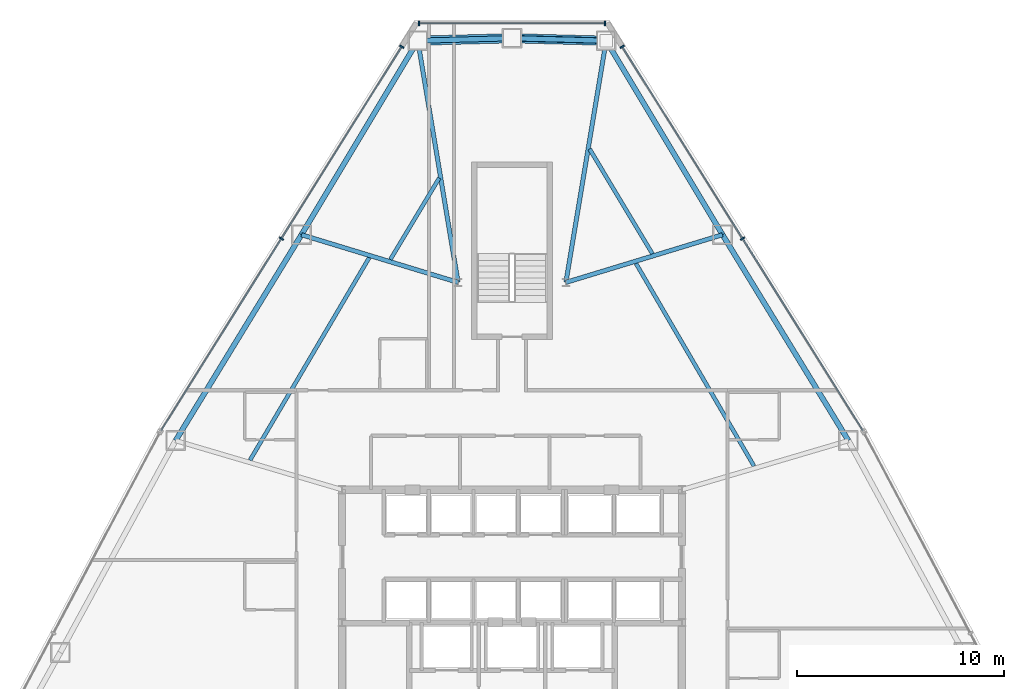
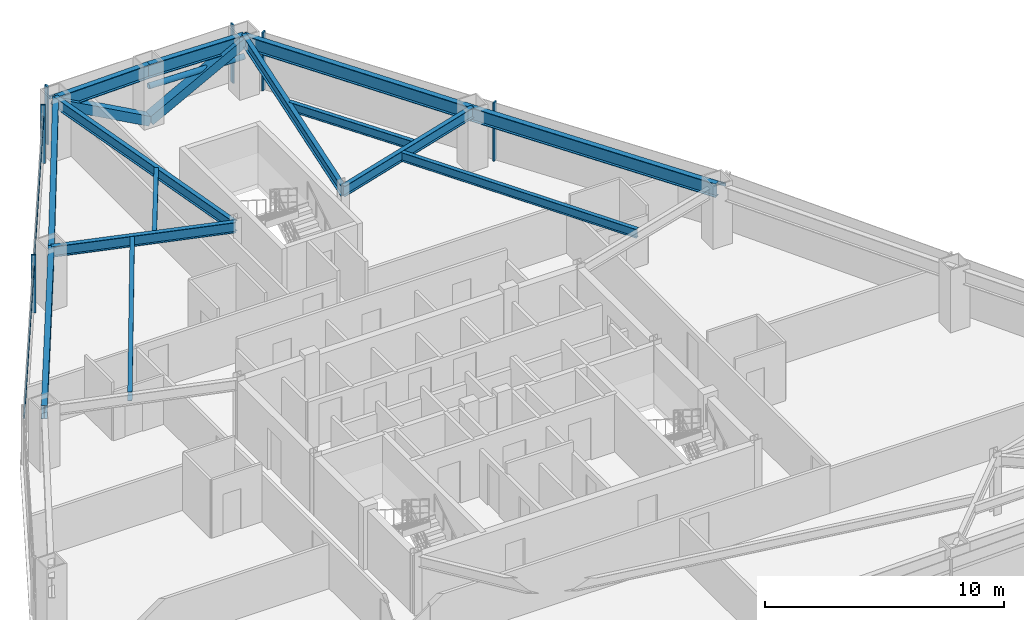
# One storey, part 7 of 13: 14 beams, 12 members, 3 elements without a shape of their own.
"""IFC4 building model written with IfcOpenShell, lengths in metres."""

from ifc_helpers import new_model, si_unit, direction, frame, origin, origin_2d, place, context, subcontext, project, spatial, rectangle, hollow_rectangle, hollow_circle, i_section, extrude, source, transform, mapped, material, layer, layer_set, material_profile, profile_set, type_object, type_shapes, element, aggregate, save


model = new_model("IFC4")

# Units and contexts
model_context = context("Model", 3, precision=1e-05, world=origin(), true_north=direction((0.0, 1.0)))
body_context = subcontext(model_context, "Body", "Model", "MODEL_VIEW")
ifc_project = project(units=[si_unit("LENGTHUNIT", "METRE"), si_unit("AREAUNIT", "SQUARE_METRE"), si_unit("VOLUMEUNIT", "CUBIC_METRE"), si_unit("PLANEANGLEUNIT", "RADIAN"), si_unit("MASSUNIT", "GRAM", prefix="KILO")], contexts=[model_context])

# Site, building, storey
site_placement = place(None, origin())
site = spatial("IfcSite", under=ifc_project, at=site_placement, CompositionType="ELEMENT")
building_placement = place(site_placement, origin())
building = spatial("IfcBuilding", under=site, at=building_placement, Name="Varakhsha Concourse Tower", CompositionType="ELEMENT")
storey_placement = place(building_placement, frame((0.0, 0.0, 95.800048828125)))
storey = spatial("IfcBuildingStorey", under=building, at=storey_placement, Name="L27", CompositionType="ELEMENT", Elevation=95.800048828125)

# Beams
ifc_material_1 = material(Name="Structural Steel ASTM A992 Grade 50", Category="steel")
ifc_material_profile_1 = material_profile(ifc_material_1, i_section(OverallWidth=0.19091796875, OverallDepth=0.45703125, WebThickness=0.009033203125, FlangeThickness=0.013916015625, at=origin_2d()), Name="W18X50")
ifc_profile_set_1 = profile_set([ifc_material_profile_1], Name="Structural Steel ASTM A992 Grade 50")
beam_type_1 = type_object("IfcBeamType", Name="BM-JST-W18X50", PredefinedType="JOIST", material=ifc_profile_set_1)
beam_1_placement = place(storey_placement, frame((36.489013671875, 46.236083984375, 2.741455078125), z_axis=(-0.514409574998, -0.857544628081, 0.0), x_axis=(0.857544628081, -0.514409574998, 0.0)))
element("IfcBeam", 1, at=beam_1_placement, inside=storey, type_object=beam_type_1, Name="BM-TJST-L27-03", PredefinedType="JOIST", context=body_context, shape_type="SweptSolid", body=[
    extrude(i_section(OverallWidth=0.19091796875, OverallDepth=0.45703125, WebThickness=0.009033203125, FlangeThickness=0.013916015625, at=origin_2d()), origin(), (0.0, 0.0, 1.0), 4.582763671875),
])
beam_2_placement = place(storey_placement, frame((33.112548828125, 42.39306640625, 2.741455078125), z_axis=(-0.507315554259, -0.861760365999, 0.0), x_axis=(0.861760365999, -0.507315554259, 0.0)))
element("IfcBeam", 2, at=beam_2_placement, inside=storey, type_object=beam_type_1, Name="BM-TJST-L27-04", PredefinedType="JOIST", context=body_context, shape_type="SweptSolid", body=[
    extrude(i_section(OverallWidth=0.19091796875, OverallDepth=0.45703125, WebThickness=0.009033203125, FlangeThickness=0.013916015625, at=origin_2d()), origin(), (0.0, 0.0, 1.0), 11.3388671875),
])
beam_3_placement = place(storey_placement, frame((51.677001953125, 32.33740234375, 2.741455078125), z_axis=(-0.503346513483, 0.864084652893, 0.0), x_axis=(-0.864084652893, -0.503346513483, 0.0)))
element("IfcBeam", 3, at=beam_3_placement, inside=storey, type_object=beam_type_1, Name="BM-TJST-L27-17", PredefinedType="JOIST", context=body_context, shape_type="SweptSolid", body=[
    extrude(i_section(OverallWidth=0.19091796875, OverallDepth=0.45703125, WebThickness=0.009033203125, FlangeThickness=0.013916015625, at=origin_2d()), origin(), (0.0, 0.0, 1.0), 11.31787109375),
])
beam_4_placement = place(storey_placement, frame((46.775146484375, 42.582275390625, 2.741455078125), z_axis=(-0.514428730328, 0.85753313721, 0.0), x_axis=(-0.85753313721, -0.514428730328, 0.0)))
element("IfcBeam", 4, at=beam_4_placement, inside=storey, type_object=beam_type_1, Name="BM-TJST-L27-18", PredefinedType="JOIST", context=body_context, shape_type="SweptSolid", body=[
    extrude(i_section(OverallWidth=0.19091796875, OverallDepth=0.45703125, WebThickness=0.009033203125, FlangeThickness=0.013916015625, at=origin_2d()), origin(), (0.0, 0.0, 1.0), 5.892578125),
])
ifc_material_profile_2 = material_profile(ifc_material_1, i_section(OverallWidth=0.2109375, OverallDepth=0.5390625, WebThickness=0.011962890625, FlangeThickness=0.01904296875, at=origin_2d()), Name="W21X73")
ifc_profile_set_2 = profile_set([ifc_material_profile_2], Name="Structural Steel ASTM A992 Grade 50")
beam_type_2 = type_object("IfcBeamType", Name="BM-RAD-W21X73", PredefinedType="BEAM", material=ifc_profile_set_2)
for number, where, z_axis, x_axis, name in (
    (5, (42.60009765625, 41.199951171875, 2.700439453125), (0.164241567319, 0.986420147586, 0.0), (-0.986420147586, 0.164241567319, 0.0), "L27 Radial Floor Girder 01"),
    (6, (37.39990234375, 41.199951171875, 2.700439453125), (-0.164241567319, 0.986420147586, 0.0), (-0.986420147586, -0.164241567319, 0.0), "L27 Radial Floor Girder 03"),
):
    element("IfcBeam", number, at=place(storey_placement, frame(where, z_axis=z_axis, x_axis=x_axis)), inside=storey, type_object=beam_type_2, Name=name, PredefinedType="BEAM", context=body_context, shape_type="SweptSolid", body=[
        extrude(i_section(OverallWidth=0.2109375, OverallDepth=0.5390625, WebThickness=0.011962890625, FlangeThickness=0.01904296875, at=origin_2d()), origin(), (0.0, 0.0, 1.0), 11.8203125),
    ])
for number, where, z_axis, x_axis, name in (
    (7, (37.39990234375, 41.199951171875, 2.700439453125), (-0.956672757421, 0.291165305641, 0.0), (-0.291165305641, -0.956672757421, 0.0), "L27 Radial Floor Girder 04"),
    (8, (42.60009765625, 41.199951171875, 2.700439453125), (0.956672757421, 0.291165305641, 0.0), (-0.291165305641, 0.956672757421, 0.0), "L27 Radial Floor Girder 18"),
):
    element("IfcBeam", number, at=place(storey_placement, frame(where, z_axis=z_axis, x_axis=x_axis)), inside=storey, type_object=beam_type_2, Name=name, PredefinedType="BEAM", context=body_context, shape_type="SweptSolid", body=[
        extrude(i_section(OverallWidth=0.2109375, OverallDepth=0.5390625, WebThickness=0.011962890625, FlangeThickness=0.01904296875, at=origin_2d()), origin(), (0.0, 0.0, 1.0), 7.898681640625),
    ])
ifc_material_profile_3 = material_profile(ifc_material_1, i_section(OverallWidth=0.25390625, OverallDepth=0.701904296875, WebThickness=0.014892578125, FlangeThickness=0.028076171875, at=origin_2d()), Name="W27X129")
ifc_profile_set_3 = profile_set([ifc_material_profile_3], Name="Structural Steel ASTM A992 Grade 50")
beam_type_3 = type_object("IfcBeamType", Name="BM-SPAN-W27X129", PredefinedType="SPANDREL", material=ifc_profile_set_3)
for number, where, z_axis, x_axis, name in (
    (9, (44.54150390625, 52.85986328125, 2.618896484375), (-0.999653249616, 0.026332119789, 0.0), (-0.026332119789, -0.999653249616, 0.0), "BM-SPAN-L27-01"),
    (10, (40.0, 52.9794921875, 2.618896484375), (-0.999653249616, -0.026332119789, 0.0), (0.026332119789, -0.999653249616, 0.0), "BM-SPAN-L27-02"),
):
    element("IfcBeam", number, at=place(storey_placement, frame(where, z_axis=z_axis, x_axis=x_axis)), inside=storey, type_object=beam_type_3, Name=name, PredefinedType="SPANDREL", context=body_context, shape_type="SweptSolid", body=[
        extrude(i_section(OverallWidth=0.25390625, OverallDepth=0.701904296875, WebThickness=0.014892578125, FlangeThickness=0.028076171875, at=origin_2d()), origin(), (0.0, 0.0, 1.0), 4.54296875),
    ])
beam_5_placement = place(storey_placement, frame((35.45849609375, 52.85986328125, 2.618896484375), z_axis=(-0.514423389103, -0.857536341355, 0.0), x_axis=(0.857536341355, -0.514423389103, 0.0)))
element("IfcBeam", 11, at=beam_5_placement, inside=storey, type_object=beam_type_3, Name="BM-SPAN-L27-03", PredefinedType="SPANDREL", context=body_context, shape_type="SweptSolid", body=[
    extrude(i_section(OverallWidth=0.25390625, OverallDepth=0.701904296875, WebThickness=0.014892578125, FlangeThickness=0.028076171875, at=origin_2d()), origin(), (0.0, 0.0, 1.0), 10.9150390625),
])
for number, where, z_axis, x_axis, name in (
    (12, (29.843505859375, 43.499755859375, 2.618896484375), (-0.521624773632, -0.853175008737, 0.0), (0.853175008737, -0.521624773632, 0.0), "BM-SPAN-L27-04"),
    (13, (56.22802734375, 33.569091796875, 2.618896484375), (-0.521624773632, 0.853175008737, 0.0), (-0.853175008737, -0.521624773632, 0.0), "BM-SPAN-L27-17"),
):
    element("IfcBeam", number, at=place(storey_placement, frame(where, z_axis=z_axis, x_axis=x_axis)), inside=storey, type_object=beam_type_3, Name=name, PredefinedType="SPANDREL", context=body_context, shape_type="SweptSolid", body=[
        extrude(i_section(OverallWidth=0.25390625, OverallDepth=0.701904296875, WebThickness=0.014892578125, FlangeThickness=0.028076171875, at=origin_2d()), origin(), (0.0, 0.0, 1.0), 11.6396484375),
    ])
beam_6_placement = place(storey_placement, frame((50.156494140625, 43.499755859375, 2.618896484375), z_axis=(-0.514423389103, 0.857536341355, 0.0), x_axis=(-0.857536341355, -0.514423389103, 0.0)))
element("IfcBeam", 14, at=beam_6_placement, inside=storey, type_object=beam_type_3, Name="BM-SPAN-L27-18", PredefinedType="SPANDREL", context=body_context, shape_type="SweptSolid", body=[
    extrude(i_section(OverallWidth=0.25390625, OverallDepth=0.701904296875, WebThickness=0.014892578125, FlangeThickness=0.028076171875, at=origin_2d()), origin(), (0.0, 0.0, 1.0), 10.9150390625),
])

# Members
ifc_material_2 = material(Name="Structural Steel ASTM A500 Grade C", Category="steel")
ifc_material_profile_4 = material_profile(ifc_material_2, hollow_rectangle(XDim=0.449951171875, YDim=0.449951171875, WallThickness=0.01904296875, at=origin_2d()), Name="HSS 450x450x19")
ifc_profile_set_4 = profile_set([ifc_material_profile_4], Name="Structural Steel ASTM A500 Grade C")
member_type_1 = type_object("IfcMemberType", Name="MB-TUBE-HSS450", PredefinedType="BRACE", material=ifc_profile_set_4)
shared_shape_1 = source(origin(), body_context, "Body", "SweptSolid", [
    extrude(hollow_rectangle(XDim=0.449951171875, YDim=0.449951171875, WallThickness=0.01904296875, at=origin_2d()), origin(), (0.0, 0.0, 1.0), 5.209716796875),
])
type_shapes(member_type_1, [shared_shape_1])
for number, where, z_axis, x_axis, name in (
    (15, (40.0, 52.9794921875, 0.119873046875), (0.87171842643, -0.022962156163, 0.489468818625), (0.026332119789, 0.999653249616, 0.0), "L27 Wind-Corner Tube Brace B01"),
    (16, (40.0, 52.9794921875, 0.119873046875), (-0.87171842643, -0.022962156163, 0.489468818625), (0.026332119789, -0.999653249616, 0.0), "L27 Wind-Corner Tube Brace B02"),
):
    element("IfcMember", number, at=place(storey_placement, frame(where, z_axis=z_axis, x_axis=x_axis)), inside=storey, type_object=member_type_1, Name=name, PredefinedType="BRACE", context=body_context, shape_type="MappedRepresentation", body=[
        mapped(shared_shape_1, transform((0.0, 0.0, 0.0), scale=1.0)),
    ])
ifc_material_profile_5 = material_profile(ifc_material_2, hollow_circle(Radius=0.136474609375, WallThickness=0.011962890625, at=origin_2d()), Name="CHS 273x12")
ifc_profile_set_5 = profile_set([ifc_material_profile_5], Name="Structural Steel ASTM A500 Grade C")
member_type_2 = type_object("IfcMemberType", Name="MB-WIND-CHS273", PredefinedType="COLLAR", material=ifc_profile_set_5)
shared_shape_2 = source(origin(), body_context, "Body", "SweptSolid", [
    extrude(hollow_circle(Radius=0.136474609375, WallThickness=0.011962890625, at=origin_2d()), origin(), (0.0, 0.0, 1.0), 4.54296875),
])
type_shapes(member_type_2, [shared_shape_2])
member_1_placement = place(storey_placement, frame((44.54150390625, 52.85986328125, 1.800048828125), z_axis=(-0.999653249616, 0.026332119789, 0.0), x_axis=(-0.026332119789, -0.999653249616, 0.0)))
element("IfcMember", 17, at=member_1_placement, inside=storey, type_object=member_type_2, Name="L27 Wind-Corner Collar Tie 1", PredefinedType="COLLAR", context=body_context, shape_type="MappedRepresentation", body=[
    mapped(shared_shape_2, transform((0.0, 0.0, 0.0), scale=1.0)),
])

# Curtain wall, members
ifc_material_3 = material(Name="Anodised Bronze Architectural Aluminium AA 6063-T6", Category="aluminium")
ifc_layer = layer(ifc_material_3, 0.199951171875, Name="CW-SYS-03")
ifc_layer_set = layer_set([ifc_layer], Name="Anodised Bronze Architectural Aluminium AA 6063-T6")
curtain_wall_type = type_object("IfcCurtainWallType", Name="CW-SYS-03", PredefinedType="NOTDEFINED", material=ifc_layer_set)
curtain_wall_1_placement = place(storey_placement, origin())
curtain_wall_1 = element("IfcCurtainWall", 18, at=curtain_wall_1_placement, inside=storey, type_object=curtain_wall_type, Name="L27 Chamfer Curtain Wall F1", PredefinedType="NOTDEFINED")
ifc_material_profile_6 = material_profile(ifc_material_3, rectangle(XDim=0.074951171875, YDim=0.219970703125, at=origin_2d()), Name="CWM-220X75")
ifc_profile_set_6 = profile_set([ifc_material_profile_6], Name="Anodised Bronze Architectural Aluminium AA 6063-T6")
member_type_3 = type_object("IfcMemberType", Name="CWM-220X75", PredefinedType="MULLION", material=ifc_profile_set_6)
shared_shape_3 = source(origin(), body_context, "Body", "SweptSolid", [
    extrude(rectangle(XDim=0.074951171875, YDim=0.219970703125, at=origin_2d()), origin(), (0.0, 0.0, 1.0), 2.969970703125),
])
type_shapes(member_type_3, [shared_shape_3])
member_2_placement = place(storey_placement, frame((35.52001953125, 53.699462890625, 0.0), z_axis=(0.0, 0.0, 1.0), x_axis=(1.0, 0.0, 0.0)))
member_2 = element("IfcMember", 19, at=member_2_placement, type_object=member_type_3, Name="CW-L27-F1 Mullion 00", PredefinedType="MULLION", context=body_context, shape_type="MappedRepresentation", body=[
    mapped(shared_shape_3, transform((0.0, 0.0, 0.0), scale=1.0)),
])
member_3_placement = place(storey_placement, frame((44.47998046875, 53.699462890625, 0.0), z_axis=(0.0, 0.0, 1.0), x_axis=(1.0, 0.0, 0.0)))
member_3 = element("IfcMember", 20, at=member_3_placement, type_object=member_type_3, Name="CW-L27-F1 Mullion 01", PredefinedType="MULLION", context=body_context, shape_type="MappedRepresentation", body=[
    mapped(shared_shape_3, transform((0.0, 0.0, 0.0), scale=1.0)),
])

curtain_wall_2_placement = place(storey_placement, origin())
curtain_wall_2 = element("IfcCurtainWall", 21, at=curtain_wall_2_placement, inside=storey, type_object=curtain_wall_type, Name="L27 Crystal Curtain Wall F2", PredefinedType="NOTDEFINED")
member_4_placement = place(storey_placement, frame((28.87744140625, 43.314697265625, 0.0), z_axis=(0.0, 0.0, 1.0), x_axis=(0.531209317405, 0.847240615824, 0.0)))
member_4 = element("IfcMember", 22, at=member_4_placement, type_object=member_type_3, Name="CW-L27-F2 Mullion 01", PredefinedType="MULLION", context=body_context, shape_type="MappedRepresentation", body=[
    mapped(shared_shape_3, transform((0.0, 0.0, 0.0), scale=1.0)),
])
member_5_placement = place(storey_placement, frame((34.681396484375, 52.5712890625, 0.0), z_axis=(0.0, 0.0, 1.0), x_axis=(0.531209317405, 0.847240615824, 0.0)))
member_5 = element("IfcMember", 23, at=member_5_placement, type_object=member_type_3, Name="CW-L27-F2 Mullion 02", PredefinedType="MULLION", context=body_context, shape_type="MappedRepresentation", body=[
    mapped(shared_shape_3, transform((0.0, 0.0, 0.0), scale=1.0)),
])

curtain_wall_3_placement = place(storey_placement, origin())
curtain_wall_3 = element("IfcCurtainWall", 24, at=curtain_wall_3_placement, inside=storey, type_object=curtain_wall_type, Name="L27 Crystal Curtain Wall F9", PredefinedType="NOTDEFINED")
member_6_placement = place(storey_placement, frame((45.318603515625, 52.5712890625, 0.0), z_axis=(0.0, 0.0, 1.0), x_axis=(0.531209317405, -0.847240615824, 0.0)))
member_6 = element("IfcMember", 25, at=member_6_placement, type_object=member_type_3, Name="CW-L27-F9 Mullion 00", PredefinedType="MULLION", context=body_context, shape_type="MappedRepresentation", body=[
    mapped(shared_shape_3, transform((0.0, 0.0, 0.0), scale=1.0)),
])
member_7_placement = place(storey_placement, frame((51.12255859375, 43.314697265625, 0.0), z_axis=(0.0, 0.0, 1.0), x_axis=(0.531209317405, -0.847240615824, 0.0)))
member_7 = element("IfcMember", 26, at=member_7_placement, type_object=member_type_3, Name="CW-L27-F9 Mullion 01", PredefinedType="MULLION", context=body_context, shape_type="MappedRepresentation", body=[
    mapped(shared_shape_3, transform((0.0, 0.0, 0.0), scale=1.0)),
])

# Member
ifc_material_profile_7 = material_profile(ifc_material_3, rectangle(XDim=0.06494140625, YDim=0.159912109375, at=origin_2d()), Name="CWT-160X65")
ifc_profile_set_7 = profile_set([ifc_material_profile_7], Name="Anodised Bronze Architectural Aluminium AA 6063-T6")
member_type_4 = type_object("IfcMemberType", Name="CWT-160X65", PredefinedType="USERDEFINED", material=ifc_profile_set_7)
shared_shape_4 = source(origin(), body_context, "Body", "SweptSolid", [
    extrude(rectangle(XDim=0.06494140625, YDim=0.159912109375, at=origin_2d()), origin(), (0.0, 0.0, 1.0), 8.9599609375),
])
member_8_placement = place(storey_placement, frame((35.52001953125, 53.699462890625, 2.320068359375), z_axis=(1.0, 0.0, 0.0), x_axis=(0.0, 1.0, 0.0)))
member_8 = element("IfcMember", 27, at=member_8_placement, type_object=member_type_4, Name="CW-L27-F1 Transom 01", ObjectType="TRANSOM", PredefinedType="USERDEFINED", context=body_context, shape_type="MappedRepresentation", body=[
    mapped(shared_shape_4, transform((0.0, 0.0, 0.0), scale=1.0)),
])

aggregate(curtain_wall_1, [member_2, member_3, member_8])

shared_shape_5 = source(origin(), body_context, "Body", "SweptSolid", [
    extrude(rectangle(XDim=0.06494140625, YDim=0.159912109375, at=origin_2d()), origin(), (0.0, 0.0, 1.0), 21.851318359375),
])
type_shapes(member_type_4, [shared_shape_4, shared_shape_5])
member_9_placement = place(storey_placement, frame((23.07373046875, 34.05810546875, 2.320068359375), z_axis=(0.531213601192, 0.847237929928, 0.0), x_axis=(-0.847237929928, 0.531213601192, 0.0)))
member_9 = element("IfcMember", 28, at=member_9_placement, type_object=member_type_4, Name="CW-L27-F2 Transom 01", ObjectType="TRANSOM", PredefinedType="USERDEFINED", context=body_context, shape_type="MappedRepresentation", body=[
    mapped(shared_shape_5, transform((0.0, 0.0, 0.0), scale=1.0)),
])

aggregate(curtain_wall_2, [member_4, member_5, member_9])

member_10_placement = place(storey_placement, frame((45.318603515625, 52.5712890625, 2.320068359375), z_axis=(0.531213601192, -0.847237929928, 0.0), x_axis=(0.847237929928, 0.531213601192, 0.0)))
member_10 = element("IfcMember", 29, at=member_10_placement, type_object=member_type_4, Name="CW-L27-F9 Transom 01", ObjectType="TRANSOM", PredefinedType="USERDEFINED", context=body_context, shape_type="MappedRepresentation", body=[
    mapped(shared_shape_5, transform((0.0, 0.0, 0.0), scale=1.0)),
])

aggregate(curtain_wall_3, [member_6, member_7, member_10])

save(model, "model.ifc")
